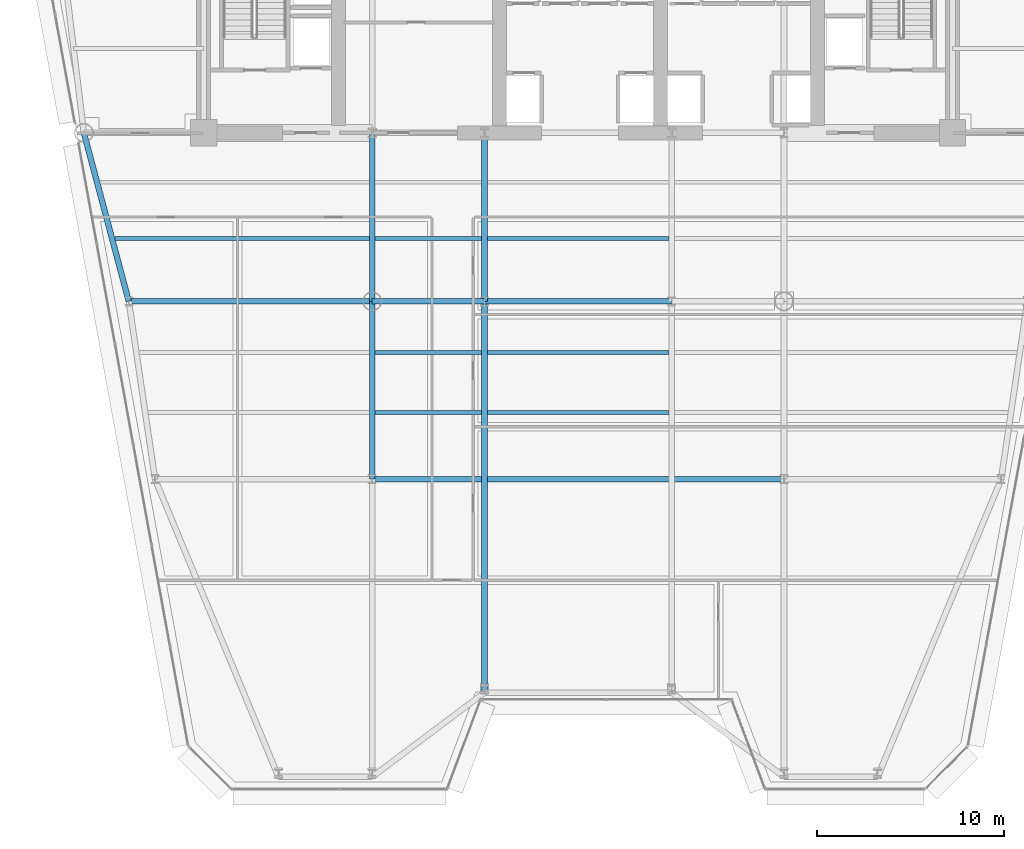
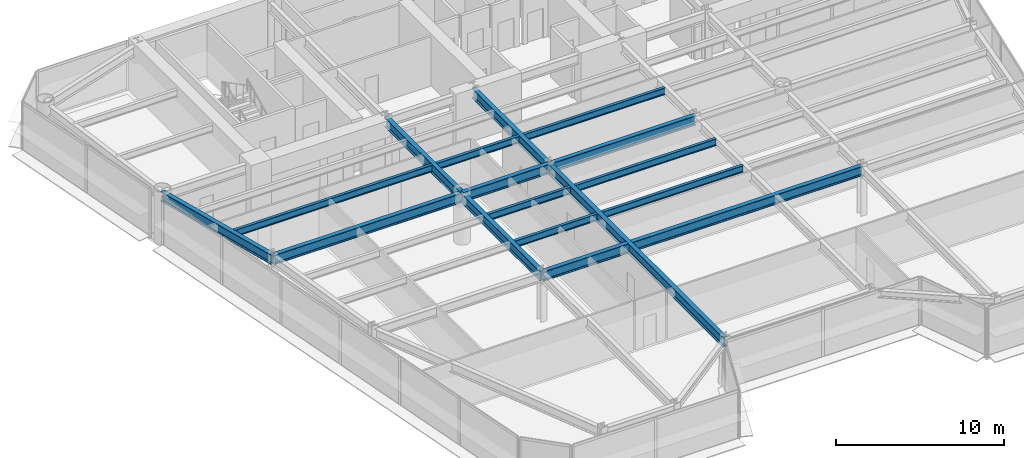
# One storey, part 3 of 14: 16 beams.
"""IFC4 building model written with IfcOpenShell, lengths in metres."""

from ifc_helpers import new_model, si_unit, direction, frame, origin, origin_2d, place, context, subcontext, project, spatial, i_section, extrude, source, transform, mapped, material, material_profile, profile_set, type_object, element, save


model = new_model("IFC4")

# Units and contexts
model_context = context("Model", 3, precision=1e-05, world=origin(), true_north=direction((0.0, 1.0)))
body_context = subcontext(model_context, "Body", "Model", "MODEL_VIEW")
ifc_project = project(units=[si_unit("LENGTHUNIT", "METRE"), si_unit("AREAUNIT", "SQUARE_METRE"), si_unit("VOLUMEUNIT", "CUBIC_METRE"), si_unit("PLANEANGLEUNIT", "RADIAN"), si_unit("MASSUNIT", "GRAM", prefix="KILO")], contexts=[model_context])

# Site, building, storey
site_placement = place(None, origin())
site = spatial("IfcSite", under=ifc_project, at=site_placement, CompositionType="ELEMENT")
building_placement = place(site_placement, origin())
building = spatial("IfcBuilding", under=site, at=building_placement, Name="Vaeldorn Concourse Tower", CompositionType="ELEMENT")
storey_placement = place(building_placement, frame((0.0, 0.0, 122.39990234375)))
storey = spatial("IfcBuildingStorey", under=building, at=storey_placement, Name="L31", CompositionType="ELEMENT", Elevation=122.39990234375)

# Beams
ifc_material = material(Name="Steel S355", Category="steel")
ifc_material_profile_1 = material_profile(ifc_material, i_section(OverallWidth=0.199951171875, OverallDepth=0.5, WebThickness=0.01025390625, FlangeThickness=0.01611328125, FilletRadius=0.02099609375, at=origin_2d()), Name="IPE 500")
ifc_profile_set_1 = profile_set([ifc_material_profile_1], Name="Steel S355")
beam_type_1 = type_object("IfcBeamType", Name="BM-JS-IPE500", PredefinedType="JOIST", material=ifc_profile_set_1)
shared_shape_1 = source(origin(), body_context, "Body", "SweptSolid", [
    extrude(i_section(OverallWidth=0.199951171875, OverallDepth=0.5, WebThickness=0.01025390625, FlangeThickness=0.01611328125, FilletRadius=0.02099609375, at=origin_2d()), origin(), (0.0, 0.0, 1.0), 5.7001953125),
])
for number, where, z_axis, x_axis, name in (
    (1, (23.14990234375, 21.56005859375, 3.330078125), (1.0, 0.0, 0.0), (0.0, 1.0, 0.0), "Beam JS-L31-W2-215"),
    (2, (23.14990234375, 24.760009765625, 3.330078125), (1.0, 0.0, 0.0), (0.0, 1.0, 0.0), "Beam JS-L31-W2-247"),
    (3, (23.14990234375, 30.860107421875, 3.330078125), (1.0, 0.0, 0.0), (0.0, 1.0, 0.0), "Beam JS-L31-W2-308"),
):
    element("IfcBeam", number, at=place(storey_placement, frame(where, z_axis=z_axis, x_axis=x_axis)), inside=storey, type_object=beam_type_1, Name=name, PredefinedType="JOIST", context=body_context, shape_type="MappedRepresentation", body=[
        mapped(shared_shape_1, transform((0.0, 0.0, 0.0), scale=1.0)),
    ])
shared_shape_2 = source(origin(), body_context, "Body", "SweptSolid", [
    extrude(i_section(OverallWidth=0.199951171875, OverallDepth=0.5, WebThickness=0.01025390625, FlangeThickness=0.01611328125, FilletRadius=0.02099609375, at=origin_2d()), origin(), (0.0, 0.0, 1.0), 9.7001953125),
])
for number, where, z_axis, x_axis, name in (
    (4, (29.14990234375, 21.56005859375, 3.330078125), (1.0, 0.0, 0.0), (0.0, 1.0, 0.0), "Beam JS-L31-C-215"),
    (5, (29.14990234375, 24.760009765625, 3.330078125), (1.0, 0.0, 0.0), (0.0, 1.0, 0.0), "Beam JS-L31-C-247"),
    (6, (29.14990234375, 30.860107421875, 3.330078125), (1.0, 0.0, 0.0), (0.0, 1.0, 0.0), "Beam JS-L31-C-308"),
):
    element("IfcBeam", number, at=place(storey_placement, frame(where, z_axis=z_axis, x_axis=x_axis)), inside=storey, type_object=beam_type_1, Name=name, PredefinedType="JOIST", context=body_context, shape_type="MappedRepresentation", body=[
        mapped(shared_shape_2, transform((0.0, 0.0, 0.0), scale=1.0)),
    ])
shared_shape_3 = source(origin(), body_context, "Body", "SweptSolid", [
    extrude(i_section(OverallWidth=0.199951171875, OverallDepth=0.5, WebThickness=0.01025390625, FlangeThickness=0.01611328125, FilletRadius=0.02099609375, at=origin_2d()), origin(), (0.0, 0.0, 1.0), 13.59619140625),
])
beam_1_placement = place(storey_placement, frame((9.25390625, 30.860107421875, 3.330078125), z_axis=(1.0, 0.0, 0.0), x_axis=(0.0, 1.0, 0.0)))
element("IfcBeam", 7, at=beam_1_placement, inside=storey, type_object=beam_type_1, Name="Beam JS-L31-W1-308", PredefinedType="JOIST", context=body_context, shape_type="MappedRepresentation", body=[
    mapped(shared_shape_3, transform((0.0, 0.0, 0.0), scale=1.0)),
])
ifc_material_profile_2 = material_profile(ifc_material, i_section(OverallWidth=0.300048828125, OverallDepth=0.699951171875, WebThickness=0.01708984375, FlangeThickness=0.031982421875, FilletRadius=0.027099609375, at=origin_2d()), Name="HEB 700")
ifc_profile_set_2 = profile_set([ifc_material_profile_2], Name="Steel S355")
beam_type_2 = type_object("IfcBeamType", Name="BM-PG-HEB700", PredefinedType="BEAM", material=ifc_profile_set_2)
shared_shape_4 = source(origin(), body_context, "Body", "SweptSolid", [
    extrude(i_section(OverallWidth=0.300048828125, OverallDepth=0.699951171875, WebThickness=0.01708984375, FlangeThickness=0.031982421875, FilletRadius=0.027099609375, at=origin_2d()), origin(), (0.0, 0.0, 1.0), 6.0),
])
beam_2_placement = place(storey_placement, frame((23.0, 27.5, 3.22998046875), z_axis=(1.0, 0.0, 0.0), x_axis=(0.0, 1.0, 0.0)))
element("IfcBeam", 8, at=beam_2_placement, inside=storey, type_object=beam_type_2, Name="Beam BM-L31-C-TW1-C-TW2", PredefinedType="BEAM", context=body_context, shape_type="MappedRepresentation", body=[
    mapped(shared_shape_4, transform((0.0, 0.0, 0.0), scale=1.0)),
])
shared_shape_5 = source(origin(), body_context, "Body", "SweptSolid", [
    extrude(i_section(OverallWidth=0.300048828125, OverallDepth=0.699951171875, WebThickness=0.01708984375, FlangeThickness=0.031982421875, FilletRadius=0.027099609375, at=origin_2d()), origin(), (0.0, 0.0, 1.0), 10.0),
])
beam_3_placement = place(storey_placement, frame((29.0, 27.5, 3.22998046875), z_axis=(1.0, 0.0, 0.0), x_axis=(0.0, 1.0, 0.0)))
element("IfcBeam", 9, at=beam_3_placement, inside=storey, type_object=beam_type_2, Name="Beam BM-L31-C-TW2-C-TW3", PredefinedType="BEAM", context=body_context, shape_type="MappedRepresentation", body=[
    mapped(shared_shape_5, transform((0.0, 0.0, 0.0), scale=1.0)),
])
shared_shape_6 = source(origin(), body_context, "Body", "SweptSolid", [
    extrude(i_section(OverallWidth=0.300048828125, OverallDepth=0.699951171875, WebThickness=0.01708984375, FlangeThickness=0.031982421875, FilletRadius=0.027099609375, at=origin_2d()), origin(), (0.0, 0.0, 1.0), 9.0),
])
for number, where, z_axis, x_axis, name in (
    (10, (23.0, 27.5, 3.22998046875), (0.0, 1.0, 0.0), (-1.0, 0.0, 0.0), "Beam BM-L31-C-TW1-C-FC2"),
    (11, (29.0, 27.5, 3.22998046875), (0.0, 1.0, 0.0), (-1.0, 0.0, 0.0), "Beam BM-L31-C-TW2-C-FC3"),
):
    element("IfcBeam", number, at=place(storey_placement, frame(where, z_axis=z_axis, x_axis=x_axis)), inside=storey, type_object=beam_type_2, Name=name, PredefinedType="BEAM", context=body_context, shape_type="MappedRepresentation", body=[
        mapped(shared_shape_6, transform((0.0, 0.0, 0.0), scale=1.0)),
    ])
shared_shape_7 = source(origin(), body_context, "Body", "SweptSolid", [
    extrude(i_section(OverallWidth=0.300048828125, OverallDepth=0.699951171875, WebThickness=0.01708984375, FlangeThickness=0.031982421875, FilletRadius=0.027099609375, at=origin_2d()), origin(), (0.0, 0.0, 1.0), 9.314453125),
])
beam_4_placement = place(storey_placement, frame((7.60009765625, 36.5, 3.22998046875), z_axis=(0.257652862255, -0.966237549763, 0.0), x_axis=(0.966237549763, 0.257652862255, 0.0)))
element("IfcBeam", 12, at=beam_4_placement, inside=storey, type_object=beam_type_2, Name="Beam BM-L31-C-NW2-C-FLW1", PredefinedType="BEAM", context=body_context, shape_type="MappedRepresentation", body=[
    mapped(shared_shape_7, transform((0.0, 0.0, 0.0), scale=1.0)),
])
shared_shape_8 = source(origin(), body_context, "Body", "SweptSolid", [
    extrude(i_section(OverallWidth=0.300048828125, OverallDepth=0.699951171875, WebThickness=0.01708984375, FlangeThickness=0.031982421875, FilletRadius=0.027099609375, at=origin_2d()), origin(), (0.0, 0.0, 1.0), 13.0),
])
beam_5_placement = place(storey_placement, frame((10.0, 27.5, 3.22998046875), z_axis=(1.0, 0.0, 0.0), x_axis=(0.0, 1.0, 0.0)))
element("IfcBeam", 13, at=beam_5_placement, inside=storey, type_object=beam_type_2, Name="Beam BM-L31-C-FLW1-C-TW1", PredefinedType="BEAM", context=body_context, shape_type="MappedRepresentation", body=[
    mapped(shared_shape_8, transform((0.0, 0.0, 0.0), scale=1.0)),
])
shared_shape_9 = source(origin(), body_context, "Body", "SweptSolid", [
    extrude(i_section(OverallWidth=0.300048828125, OverallDepth=0.699951171875, WebThickness=0.01708984375, FlangeThickness=0.031982421875, FilletRadius=0.027099609375, at=origin_2d()), origin(), (0.0, 0.0, 1.0), 22.0),
])
beam_6_placement = place(storey_placement, frame((23.0, 18.0, 3.22998046875), z_axis=(1.0, 0.0, 0.0), x_axis=(0.0, 1.0, 0.0)))
element("IfcBeam", 14, at=beam_6_placement, inside=storey, type_object=beam_type_2, Name="Beam BM-L31-C-TW5-C-TW6", PredefinedType="BEAM", context=body_context, shape_type="MappedRepresentation", body=[
    mapped(shared_shape_9, transform((0.0, 0.0, 0.0), scale=1.0)),
])
shared_shape_10 = source(origin(), body_context, "Body", "SweptSolid", [
    extrude(i_section(OverallWidth=0.300048828125, OverallDepth=0.699951171875, WebThickness=0.01708984375, FlangeThickness=0.031982421875, FilletRadius=0.027099609375, at=origin_2d()), origin(), (0.0, 0.0, 1.0), 9.5),
])
beam_7_placement = place(storey_placement, frame((23.0, 18.0, 3.22998046875), z_axis=(0.0, 1.0, 0.0), x_axis=(-1.0, 0.0, 0.0)))
element("IfcBeam", 15, at=beam_7_placement, inside=storey, type_object=beam_type_2, Name="Beam BM-L31-C-TW5-C-TW1", PredefinedType="BEAM", context=body_context, shape_type="MappedRepresentation", body=[
    mapped(shared_shape_10, transform((0.0, 0.0, 0.0), scale=1.0)),
])
shared_shape_11 = source(origin(), body_context, "Body", "SweptSolid", [
    extrude(i_section(OverallWidth=0.300048828125, OverallDepth=0.699951171875, WebThickness=0.01708984375, FlangeThickness=0.031982421875, FilletRadius=0.027099609375, at=origin_2d()), origin(), (0.0, 0.0, 1.0), 20.904541015625),
])
beam_8_placement = place(storey_placement, frame((29.0, 6.595458984375, 3.22998046875), z_axis=(0.0, 1.0, 0.0), x_axis=(-1.0, 0.0, 0.0)))
element("IfcBeam", 16, at=beam_8_placement, inside=storey, type_object=beam_type_2, Name="Beam BM-L31-C-SF3-C-TW2", PredefinedType="BEAM", context=body_context, shape_type="MappedRepresentation", body=[
    mapped(shared_shape_11, transform((0.0, 0.0, 0.0), scale=1.0)),
])

save(model, "model.ifc")
